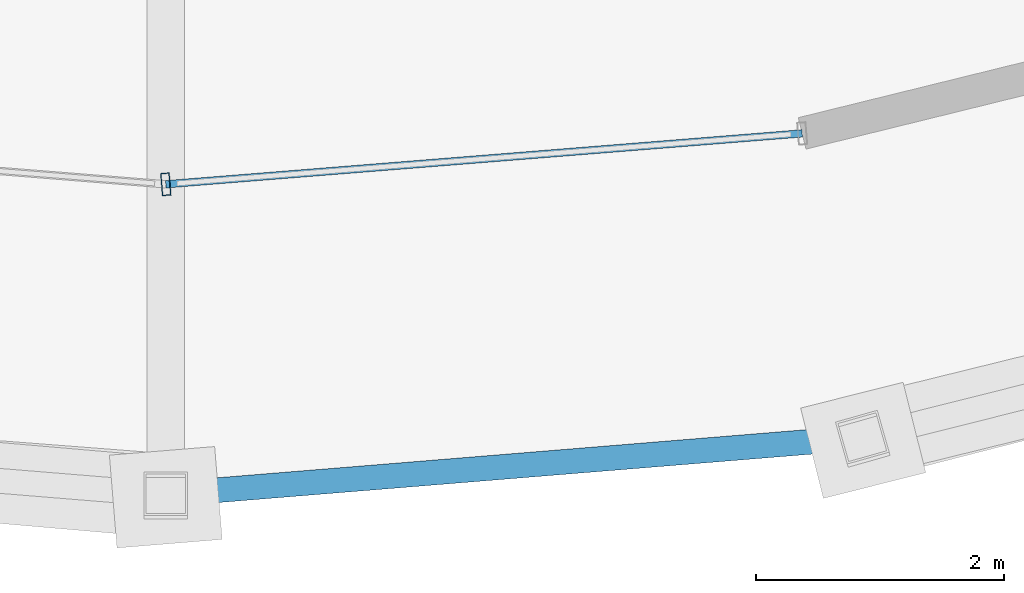
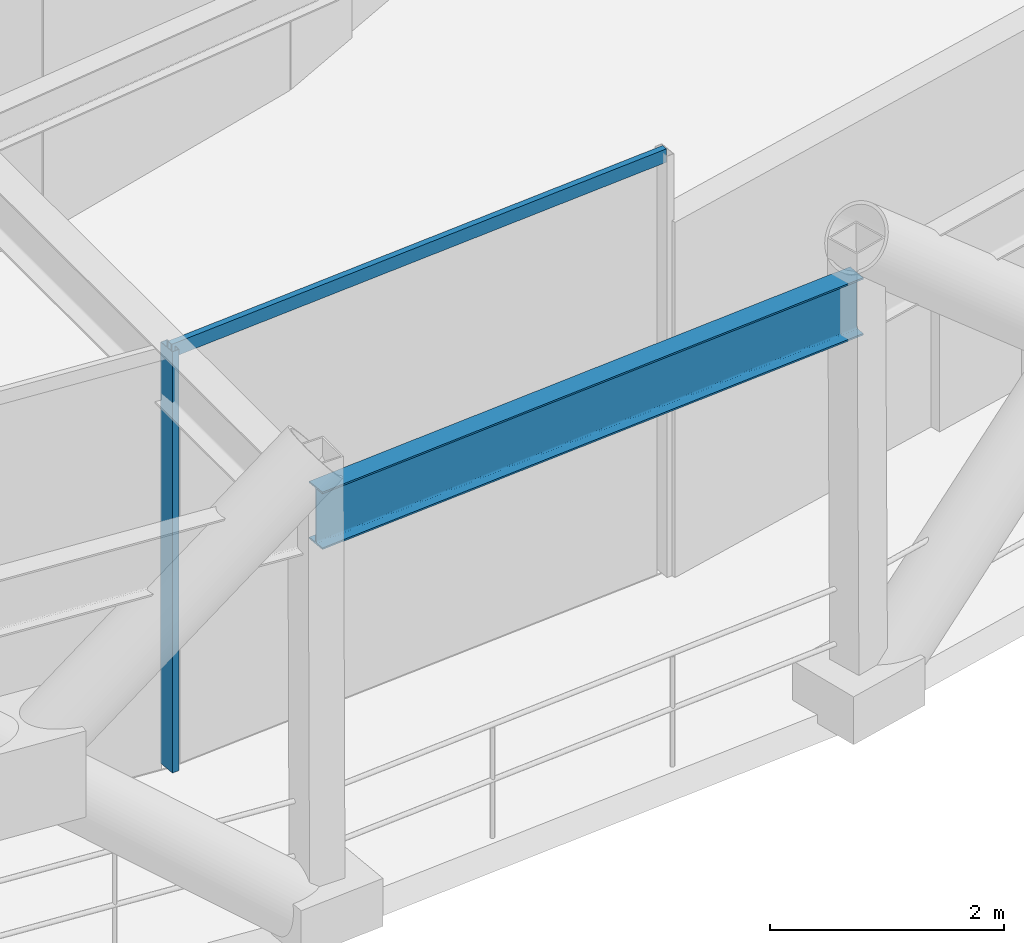
# One storey, part 5 of 39: 2 members, 1 beam, 1 element without a shape of its own.
"""IFC4 building model written with IfcOpenShell, lengths in metres."""

from ifc_helpers import new_model, si_unit, direction, frame, origin, origin_2d, place, context, subcontext, project, spatial, hollow_rectangle, i_section, extrude, material, layer, layer_set, material_profile, profile_set, type_object, element, aggregate, save


model = new_model("IFC4")

# Units and contexts
model_context = context("Model", 3, precision=1e-05, world=origin(), true_north=direction((0.0, 1.0)))
body_context = subcontext(model_context, "Body", "Model", "MODEL_VIEW")
ifc_project = project(units=[si_unit("LENGTHUNIT", "METRE"), si_unit("AREAUNIT", "SQUARE_METRE"), si_unit("VOLUMEUNIT", "CUBIC_METRE"), si_unit("PLANEANGLEUNIT", "RADIAN"), si_unit("MASSUNIT", "GRAM", prefix="KILO")], contexts=[model_context])

# Site, building, storey
site_placement = place(None, origin())
site = spatial("IfcSite", under=ifc_project, at=site_placement, CompositionType="ELEMENT")
building_placement = place(site_placement, origin())
building = spatial("IfcBuilding", under=site, at=building_placement, Name="Veldorina Hangang Commons", CompositionType="ELEMENT")
storey_placement = place(building_placement, frame((0.0, 0.0, 106.0)))
storey = spatial("IfcBuildingStorey", under=building, at=storey_placement, Name="L27", CompositionType="ELEMENT", Elevation=106.0)

# Beam
ifc_material_1 = material(Name="Steel SM420-TMC", Category="steel")
ifc_material_profile_1 = material_profile(ifc_material_1, i_section(OverallWidth=0.199951171875, OverallDepth=0.60009765625, WebThickness=0.010986328125, FlangeThickness=0.01708984375, FilletRadius=0.01806640625, at=origin_2d()), Name="H-600x200x11x17")
ifc_profile_set_1 = profile_set([ifc_material_profile_1], Name="Steel SM420-TMC")
beam_type = type_object("IfcBeamType", Name="BM-RB600", PredefinedType="BEAM", material=ifc_profile_set_1)
beam_placement = place(storey_placement, frame((32.0, 0.1748046875, 4.139892578125), z_axis=(0.996686123384, 0.081343539712, 0.0), x_axis=(-0.081343539712, 0.996686123384, 0.0)))
element("IfcBeam", 1, at=beam_placement, inside=storey, type_object=beam_type, Name="L27 perimeter hoop ring beam 24", PredefinedType="BEAM", context=body_context, shape_type="SweptSolid", body=[
    extrude(i_section(OverallWidth=0.199951171875, OverallDepth=0.60009765625, WebThickness=0.010986328125, FlangeThickness=0.01708984375, FilletRadius=0.01806640625, at=origin_2d()), origin(), (0.0, 0.0, 1.0), 5.62744140625),
])

# Curtain wall, members
ifc_material_2 = material(Name="Glass Acoustic Laminated", Category="glass")
ifc_layer = layer(ifc_material_2, 0.179931640625)
ifc_layer_set = layer_set([ifc_layer], Name="Glass Acoustic Laminated")
curtain_wall_type = type_object("IfcCurtainWallType", Name="CW-SYS-SKY", PredefinedType="NOTDEFINED", material=ifc_layer_set)
curtain_wall_placement = place(storey_placement, origin())
curtain_wall = element("IfcCurtainWall", 2, at=curtain_wall_placement, inside=storey, type_object=curtain_wall_type, Name="L27 unitised curtain wall CW-L27-R11", PredefinedType="NOTDEFINED")
ifc_material_3 = material(Name="Aluminium Anodized AA6063-T6", Category="aluminium")
ifc_material_profile_2 = material_profile(ifc_material_3, hollow_rectangle(XDim=0.070068359375, YDim=0.179931640625, WallThickness=0.00390625, at=origin_2d()), Name="ALU-RHS-180x70x4")
ifc_profile_set_2 = profile_set([ifc_material_profile_2], Name="Aluminium Anodized AA6063-T6")
member_type_1 = type_object("IfcMemberType", Name="CW-MUL-180", PredefinedType="MULLION", material=ifc_profile_set_2)
member_1_placement = place(storey_placement, frame((32.0, 2.671875, 0.0), z_axis=(0.0, 0.0, 1.0), x_axis=(0.996816560632, 0.079729194461, 0.0)))
member_1 = element("IfcMember", 3, at=member_1_placement, type_object=member_type_1, Name="CW-L27-R11 vertical mullion 4", PredefinedType="MULLION", context=body_context, shape_type="SweptSolid", body=[
    extrude(hollow_rectangle(XDim=0.070068359375, YDim=0.179931640625, WallThickness=0.00390625, at=origin_2d()), origin(), (0.0, 0.0, 1.0), 4.39990234375),
])
ifc_material_profile_3 = material_profile(ifc_material_3, hollow_rectangle(XDim=0.06005859375, YDim=0.139892578125, WallThickness=0.00341796875, at=origin_2d()), Name="ALU-RHS-140x60x3.5")
ifc_profile_set_3 = profile_set([ifc_material_profile_3], Name="Aluminium Anodized AA6063-T6")
member_type_2 = type_object("IfcMemberType", Name="CW-TRN-140", PredefinedType="USERDEFINED", material=ifc_profile_set_3)
member_2_placement = place(storey_placement, frame((32.0, 2.671875, 4.360107421875), z_axis=(0.996814825429, 0.079750885919, 0.0), x_axis=(-0.079750885919, 0.996814825429, 0.0)))
member_2 = element("IfcMember", 4, at=member_2_placement, type_object=member_type_2, Name="CW-L27-R11 facet 5 transom 1", ObjectType="TRANSOM", PredefinedType="USERDEFINED", context=body_context, shape_type="SweptSolid", body=[
    extrude(hollow_rectangle(XDim=0.06005859375, YDim=0.139892578125, WallThickness=0.00341796875, at=origin_2d()), origin(), (0.0, 0.0, 1.0), 5.139892578125),
])
aggregate(curtain_wall, [member_1, member_2])

save(model, "model.ifc")
